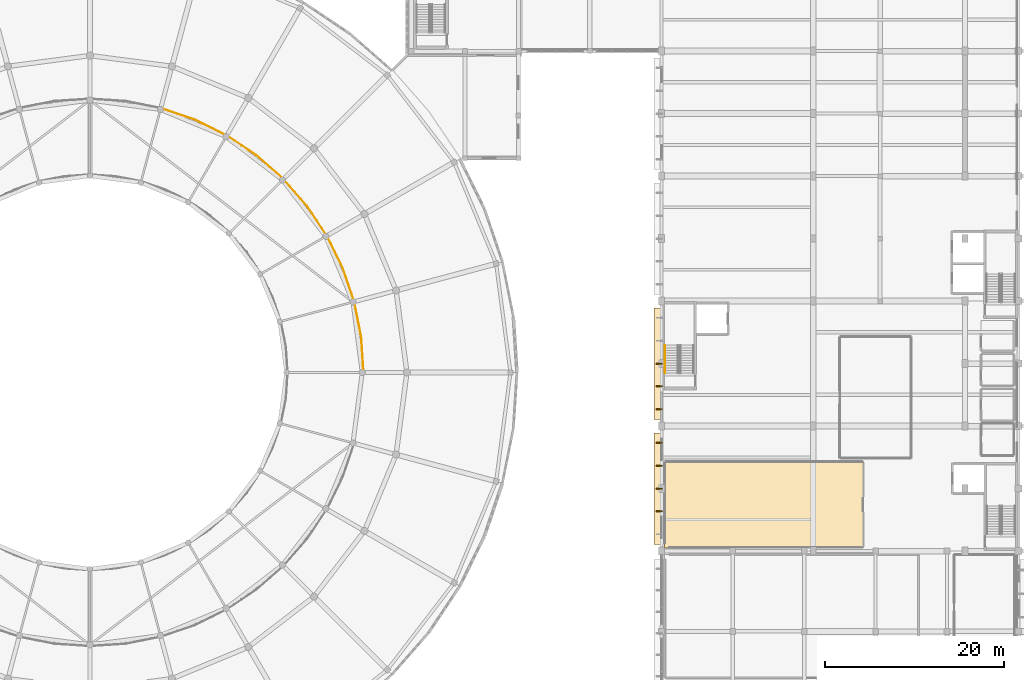
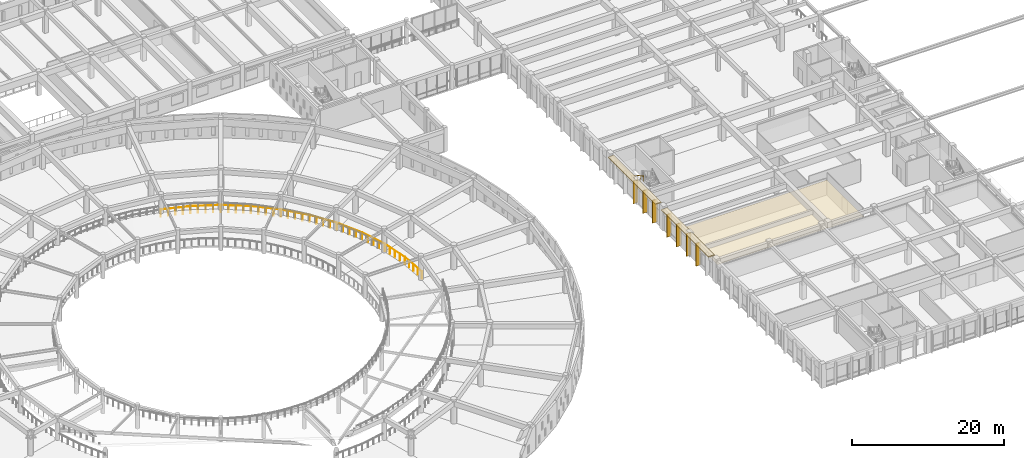
# One storey, part 85 of 98: 10 coverings, 2 railings.
"""IFC4 building model written with IfcOpenShell, lengths in metres."""

from ifc_helpers import new_model, si_unit, direction, frame, origin, origin_2d, place, context, subcontext, project, spatial, polyline, rectangle, circle, outline, extrude, material, layer, layer_set, type_object, element, save


model = new_model("IFC4")

# Units and contexts
model_context = context("Model", 3, precision=1e-05, world=origin(), true_north=direction((0.0, 1.0)))
body_context = subcontext(model_context, "Body", "Model", "MODEL_VIEW")
ifc_project = project(units=[si_unit("LENGTHUNIT", "METRE"), si_unit("AREAUNIT", "SQUARE_METRE"), si_unit("VOLUMEUNIT", "CUBIC_METRE"), si_unit("PLANEANGLEUNIT", "RADIAN"), si_unit("MASSUNIT", "GRAM", prefix="KILO")], contexts=[model_context])

# Site, building, storey
site_placement = place(None, origin())
site = spatial("IfcSite", under=ifc_project, at=site_placement, CompositionType="ELEMENT")
building_placement = place(site_placement, origin())
building = spatial("IfcBuilding", under=site, at=building_placement, Name="Larkveld Mobility Hub", CompositionType="ELEMENT")
storey_placement = place(building_placement, frame((0.0, 0.0, 4.5)))
storey = spatial("IfcBuildingStorey", under=building, at=storey_placement, Name="L01", CompositionType="ELEMENT", Elevation=4.5)

# Coverings
ifc_material_1 = material(Name="Precast concrete C50/60", Category="concrete")
ifc_layer_1 = layer(ifc_material_1, 0.14990234375, Name="Precast concrete C50/60", Category="concrete")
ifc_layer_set_1 = layer_set([ifc_layer_1], Name="Precast concrete C50/60")
covering_type_1 = type_object("IfcCoveringType", Name="COV-QSL-H01", PredefinedType="CLADDING", material=ifc_layer_set_1)
for number, where, z_axis, x_axis, name in (
    (1, (111.659912109375, 35.0, 3.670166015625), (0.0, 0.0, 1.0), (0.0, -1.0, 0.0), "Precast Quebra-Sol Horizontal Sunbreaker QSH-397"),
    (2, (111.659912109375, 49.0, 3.670166015625), (0.0, 0.0, 1.0), (0.0, -1.0, 0.0), "Precast Quebra-Sol Horizontal Sunbreaker QSH-403"),
):
    element("IfcCovering", number, at=place(storey_placement, frame(where, z_axis=z_axis, x_axis=x_axis)), inside=storey, type_object=covering_type_1, Name=name, PredefinedType="CLADDING", context=body_context, shape_type="SweptSolid", body=[
        extrude(rectangle(XDim=12.5, YDim=0.919921875, at=origin_2d()), origin(), (0.0, 0.0, 1.0), 0.14990234375),
    ])
ifc_layer_2 = layer(ifc_material_1, 0.1201171875, Name="Precast concrete C50/60", Category="concrete")
ifc_layer_set_2 = layer_set([ifc_layer_2], Name="Precast concrete C50/60")
covering_type_2 = type_object("IfcCoveringType", Name="COV-QSL-V01", PredefinedType="CLADDING", material=ifc_layer_set_2)
for number, where, z_axis, x_axis, name in (
    (3, (111.760009765625, 40.1201171875, -0.0205078125), (0.0, 0.0, 1.0), (0.0, -1.0, 0.0), "Precast Quebra-Sol Vertical Fin QSV-398"),
    (4, (111.760009765625, 37.56005859375, -0.0205078125), (0.0, 0.0, 1.0), (0.0, -1.0, 0.0), "Precast Quebra-Sol Vertical Fin QSV-399"),
    (5, (111.760009765625, 35.0, -0.0205078125), (0.0, 0.0, 1.0), (0.0, -1.0, 0.0), "Precast Quebra-Sol Vertical Fin QSV-400"),
    (6, (111.760009765625, 32.43994140625, -0.0205078125), (0.0, 0.0, 1.0), (0.0, -1.0, 0.0), "Precast Quebra-Sol Vertical Fin QSV-401"),
    (7, (111.760009765625, 49.0, -0.0205078125), (0.0, 0.0, 1.0), (0.0, -1.0, 0.0), "Precast Quebra-Sol Vertical Fin QSV-406"),
    (8, (111.760009765625, 46.43994140625, -0.0205078125), (0.0, 0.0, 1.0), (0.0, -1.0, 0.0), "Precast Quebra-Sol Vertical Fin QSV-407"),
    (9, (111.760009765625, 43.8798828125, -0.0205078125), (0.0, 0.0, 1.0), (0.0, -1.0, 0.0), "Precast Quebra-Sol Vertical Fin QSV-408"),
):
    element("IfcCovering", number, at=place(storey_placement, frame(where, z_axis=z_axis, x_axis=x_axis)), inside=storey, type_object=covering_type_2, Name=name, PredefinedType="CLADDING", context=body_context, shape_type="SweptSolid", body=[
        extrude(rectangle(XDim=0.1201171875, YDim=0.719970703125, at=origin_2d()), origin(), (0.0, 0.0, 1.0), 3.675048828125),
    ])
ifc_material_2 = material(Name="Perforated mineral-fibre acoustic ceiling", Category="masonry")
ifc_layer_3 = layer(ifc_material_2, 0.02001953125, Name="Perforated mineral-fibre acoustic ceiling", Category="masonry")
ifc_layer_set_3 = layer_set([ifc_layer_3], Name="Perforated mineral-fibre acoustic ceiling")
covering_type_3 = type_object("IfcCoveringType", Name="CV-CLG-020", PredefinedType="CEILING", material=ifc_layer_set_3)
covering_placement = place(storey_placement, frame((0.0, 0.0, 2.330078125)))
element("IfcCovering", 10, at=covering_placement, inside=storey, type_object=covering_type_3, Name="Intermodal Passenger Waiting Concourse Acoustic Ceiling 016", PredefinedType="CEILING", context=body_context, shape_type="SweptSolid", body=[
    extrude(outline(polyline([(112.4169921875, 28.3701171875), (112.4140625, 28.37109375), (112.410888671875, 28.37109375), (112.408935546875, 28.3720703125), (112.406005859375, 28.3740234375), (112.403076171875, 28.375), (112.40087890625, 28.376953125), (112.39892578125, 28.37890625), (112.37890625, 28.39892578125), (112.376953125, 28.40087890625), (112.375, 28.403076171875), (112.3740234375, 28.406005859375), (112.3720703125, 28.408935546875), (112.37109375, 28.410888671875), (112.37109375, 28.4140625), (112.3701171875, 28.4169921875), (112.3701171875, 28.419921875), (112.3701171875, 37.97998046875), (112.3701171875, 37.98291015625), (112.37109375, 37.986083984375), (112.37109375, 37.989013671875), (112.3720703125, 37.990966796875), (112.3740234375, 37.993896484375), (112.375, 37.9970703125), (112.386962890625, 38.014892578125), (112.388916015625, 38.01806640625), (112.39111328125, 38.02001953125), (112.39306640625, 38.02197265625), (112.39599609375, 38.02294921875), (112.39794921875, 38.02490234375), (112.40087890625, 38.02587890625), (112.404052734375, 38.027099609375), (112.406005859375, 38.028076171875), (112.408935546875, 38.028076171875), (112.412109375, 38.028076171875), (134.580078125, 38.030029296875), (134.5830078125, 38.030029296875), (134.5859375, 38.029052734375), (134.589111328125, 38.029052734375), (134.591064453125, 38.028076171875), (134.593994140625, 38.02587890625), (134.596923828125, 38.02490234375), (134.614990234375, 38.012939453125), (134.617919921875, 38.010986328125), (134.6201171875, 38.009033203125), (134.6220703125, 38.007080078125), (134.623046875, 38.00390625), (134.625, 38.001953125), (134.6259765625, 37.9990234375), (134.626953125, 37.99609375), (134.6279296875, 37.993896484375), (134.6279296875, 37.990966796875), (134.6279296875, 37.988037109375), (134.6298828125, 28.419921875), (134.6298828125, 28.4169921875), (134.62890625, 28.4140625), (134.62890625, 28.410888671875), (134.6279296875, 28.408935546875), (134.6259765625, 28.406005859375), (134.625, 28.403076171875), (134.613037109375, 28.385009765625), (134.611083984375, 28.382080078125), (134.60888671875, 28.3798828125), (134.60693359375, 28.3779296875), (134.60400390625, 28.376953125), (134.60205078125, 28.375), (134.59912109375, 28.3740234375), (134.595947265625, 28.373046875), (134.593994140625, 28.3720703125), (134.591064453125, 28.3720703125), (134.587890625, 28.3720703125), (129.330078125, 28.37109375), (129.330078125, 28.455078125), (128.669921875, 28.455078125), (128.669921875, 28.37109375), (112.419921875, 28.3701171875), (112.4169921875, 28.3701171875)])), origin(), (0.0, 0.0, 1.0), 0.02001953125),
])

# Railings
ifc_material_3 = material(Name="Anodized aluminium 6063-T6 balustrade", Category="aluminium")
railing_type_1 = type_object("IfcRailingType", Name="RL-GRD-1150", PredefinedType="GUARDRAIL", material=ifc_material_3)
railing_1_placement = place(storey_placement, frame((78.64990234375, 48.0, 0.0)))
element("IfcRailing", 11, at=railing_1_placement, inside=storey, type_object=railing_type_1, Name="Drum Ramp Well Guardrail L01-037", PredefinedType="GUARDRAIL", context=body_context, shape_type="SweptSolid", body=[
    extrude(circle(Radius=0.02392578125, at=origin_2d()), frame((0.0, 0.0, 1.1259765625), z_axis=(-0.065334844062, 0.997863396539, 0.0), x_axis=(-0.997863396539, -0.065334844062, 0.0)), (0.0, 0.0, 1.0), 4.009521484375),
    extrude(circle(Radius=0.02392578125, at=origin_2d()), frame((-0.261962890625, 4.0009765625, 1.1259765625), z_axis=(-0.195050336869, 0.980793233096, 0.0), x_axis=(-0.980793233096, -0.195050336869, 0.0)), (0.0, 0.0, 1.0), 4.009033203125),
    extrude(circle(Radius=0.02392578125, at=origin_2d()), frame((-1.0439453125, 7.93310546875, 1.1259765625), z_axis=(-0.321557700371, 0.946889985865, 0.0), x_axis=(-0.946889985865, -0.321557700371, 0.0)), (0.0, 0.0, 1.0), 4.0087890625),
    extrude(circle(Radius=0.02392578125, at=origin_2d()), frame((-2.3330078125, 11.72900390625, 1.1259765625), z_axis=(-0.442213306217, 0.89690991287, 0.0), x_axis=(-0.89690991287, -0.442213306217, 0.0)), (0.0, 0.0, 1.0), 4.00927734375),
    extrude(circle(Radius=0.02392578125, at=origin_2d()), frame((-4.10595703125, 15.324951171875, 1.1259765625), z_axis=(-0.555627161516, 0.831431571078, 0.0), x_axis=(-0.831431571078, -0.555627161516, 0.0)), (0.0, 0.0, 1.0), 4.010009765625),
    extrude(circle(Radius=0.02392578125, at=origin_2d()), frame((-6.333984375, 18.658935546875, 1.1259765625), z_axis=(-0.65927174728, 0.75190475676, 0.0), x_axis=(-0.75190475676, -0.65927174728, 0.0)), (0.0, 0.0, 1.0), 4.0087890625),
    extrude(circle(Radius=0.02392578125, at=origin_2d()), frame((-8.976806640625, 21.673095703125, 1.1259765625), z_axis=(-0.75190475676, 0.65927174728, 0.0), x_axis=(-0.65927174728, -0.75190475676, 0.0)), (0.0, 0.0, 1.0), 4.0087890625),
    extrude(circle(Radius=0.02392578125, at=origin_2d()), frame((-11.990966796875, 24.31591796875, 1.1259765625), z_axis=(-0.831431571078, 0.555627161516, 0.0), x_axis=(-0.555627161516, -0.831431571078, 0.0)), (0.0, 0.0, 1.0), 4.010009765625),
    extrude(circle(Radius=0.02392578125, at=origin_2d()), frame((-15.324951171875, 26.5439453125, 1.1259765625), z_axis=(-0.89690991287, 0.442213306217, 0.0), x_axis=(-0.442213306217, -0.89690991287, 0.0)), (0.0, 0.0, 1.0), 4.00927734375),
    extrude(circle(Radius=0.02392578125, at=origin_2d()), frame((-18.9208984375, 28.31689453125, 1.1259765625), z_axis=(-0.946889985865, 0.321557700371, 0.0), x_axis=(-0.321557700371, -0.946889985865, 0.0)), (0.0, 0.0, 1.0), 4.0087890625),
    extrude(circle(Radius=0.02099609375, at=origin_2d()), origin(), (0.0, 0.0, 1.0), 1.101806640625),
    extrude(circle(Radius=0.02099609375, at=origin_2d()), frame((-0.0654296875, 1.000244140625, 0.0)), (0.0, 0.0, 1.0), 1.101806640625),
    extrude(circle(Radius=0.02099609375, at=origin_2d()), frame((-0.130859375, 2.00048828125, 0.0)), (0.0, 0.0, 1.0), 1.101806640625),
    extrude(circle(Radius=0.02099609375, at=origin_2d()), frame((-0.196533203125, 3.000732421875, 0.0)), (0.0, 0.0, 1.0), 1.101806640625),
    extrude(circle(Radius=0.02099609375, at=origin_2d()), frame((-0.261962890625, 4.0009765625, 0.0)), (0.0, 0.0, 1.0), 1.101806640625),
    extrude(circle(Radius=0.02099609375, at=origin_2d()), frame((-0.45751953125, 4.98388671875, 0.0)), (0.0, 0.0, 1.0), 1.101806640625),
    extrude(circle(Radius=0.02099609375, at=origin_2d()), frame((-0.65283203125, 5.967041015625, 0.0)), (0.0, 0.0, 1.0), 1.101806640625),
    extrude(circle(Radius=0.02099609375, at=origin_2d()), frame((-0.848388671875, 6.9501953125, 0.0)), (0.0, 0.0, 1.0), 1.101806640625),
    extrude(circle(Radius=0.02099609375, at=origin_2d()), frame((-1.0439453125, 7.93310546875, 0.0)), (0.0, 0.0, 1.0), 1.101806640625),
    extrude(circle(Radius=0.02099609375, at=origin_2d()), frame((-1.3662109375, 8.882080078125, 0.0)), (0.0, 0.0, 1.0), 1.101806640625),
    extrude(circle(Radius=0.02099609375, at=origin_2d()), frame((-1.6884765625, 9.8310546875, 0.0)), (0.0, 0.0, 1.0), 1.101806640625),
    extrude(circle(Radius=0.02099609375, at=origin_2d()), frame((-2.0107421875, 10.780029296875, 0.0)), (0.0, 0.0, 1.0), 1.101806640625),
    extrude(circle(Radius=0.02099609375, at=origin_2d()), frame((-2.3330078125, 11.72900390625, 0.0)), (0.0, 0.0, 1.0), 1.101806640625),
    extrude(circle(Radius=0.02099609375, at=origin_2d()), frame((-2.7763671875, 12.6279296875, 0.0)), (0.0, 0.0, 1.0), 1.101806640625),
    extrude(circle(Radius=0.02099609375, at=origin_2d()), frame((-3.219482421875, 13.52685546875, 0.0)), (0.0, 0.0, 1.0), 1.101806640625),
    extrude(circle(Radius=0.02099609375, at=origin_2d()), frame((-3.66259765625, 14.426025390625, 0.0)), (0.0, 0.0, 1.0), 1.101806640625),
    extrude(circle(Radius=0.02099609375, at=origin_2d()), frame((-4.10595703125, 15.324951171875, 0.0)), (0.0, 0.0, 1.0), 1.101806640625),
    extrude(circle(Radius=0.02099609375, at=origin_2d()), frame((-4.6630859375, 16.158447265625, 0.0)), (0.0, 0.0, 1.0), 1.101806640625),
    extrude(circle(Radius=0.02099609375, at=origin_2d()), frame((-5.219970703125, 16.991943359375, 0.0)), (0.0, 0.0, 1.0), 1.101806640625),
    extrude(circle(Radius=0.02099609375, at=origin_2d()), frame((-5.77685546875, 17.825439453125, 0.0)), (0.0, 0.0, 1.0), 1.101806640625),
    extrude(circle(Radius=0.02099609375, at=origin_2d()), frame((-6.333984375, 18.658935546875, 0.0)), (0.0, 0.0, 1.0), 1.101806640625),
    extrude(circle(Radius=0.02099609375, at=origin_2d()), frame((-6.99462890625, 19.41259765625, 0.0)), (0.0, 0.0, 1.0), 1.101806640625),
    extrude(circle(Radius=0.02099609375, at=origin_2d()), frame((-7.6552734375, 20.166015625, 0.0)), (0.0, 0.0, 1.0), 1.101806640625),
    extrude(circle(Radius=0.02099609375, at=origin_2d()), frame((-8.316162109375, 20.91943359375, 0.0)), (0.0, 0.0, 1.0), 1.101806640625),
    extrude(circle(Radius=0.02099609375, at=origin_2d()), frame((-8.976806640625, 21.673095703125, 0.0)), (0.0, 0.0, 1.0), 1.101806640625),
    extrude(circle(Radius=0.02099609375, at=origin_2d()), frame((-9.73046875, 22.333740234375, 0.0)), (0.0, 0.0, 1.0), 1.101806640625),
    extrude(circle(Radius=0.02099609375, at=origin_2d()), frame((-10.48388671875, 22.99462890625, 0.0)), (0.0, 0.0, 1.0), 1.101806640625),
    extrude(circle(Radius=0.02099609375, at=origin_2d()), frame((-11.2373046875, 23.6552734375, 0.0)), (0.0, 0.0, 1.0), 1.101806640625),
    extrude(circle(Radius=0.02099609375, at=origin_2d()), frame((-11.990966796875, 24.31591796875, 0.0)), (0.0, 0.0, 1.0), 1.101806640625),
    extrude(circle(Radius=0.02099609375, at=origin_2d()), frame((-12.824462890625, 24.873046875, 0.0)), (0.0, 0.0, 1.0), 1.101806640625),
    extrude(circle(Radius=0.02099609375, at=origin_2d()), frame((-13.657958984375, 25.429931640625, 0.0)), (0.0, 0.0, 1.0), 1.101806640625),
    extrude(circle(Radius=0.02099609375, at=origin_2d()), frame((-14.491455078125, 25.98681640625, 0.0)), (0.0, 0.0, 1.0), 1.101806640625),
    extrude(circle(Radius=0.02099609375, at=origin_2d()), frame((-15.324951171875, 26.5439453125, 0.0)), (0.0, 0.0, 1.0), 1.101806640625),
    extrude(circle(Radius=0.02099609375, at=origin_2d()), frame((-16.223876953125, 26.9873046875, 0.0)), (0.0, 0.0, 1.0), 1.101806640625),
    extrude(circle(Radius=0.02099609375, at=origin_2d()), frame((-17.123046875, 27.430419921875, 0.0)), (0.0, 0.0, 1.0), 1.101806640625),
    extrude(circle(Radius=0.02099609375, at=origin_2d()), frame((-18.02197265625, 27.87353515625, 0.0)), (0.0, 0.0, 1.0), 1.101806640625),
    extrude(circle(Radius=0.02099609375, at=origin_2d()), frame((-18.9208984375, 28.31689453125, 0.0)), (0.0, 0.0, 1.0), 1.101806640625),
    extrude(circle(Radius=0.02099609375, at=origin_2d()), frame((-19.869873046875, 28.63916015625, 0.0)), (0.0, 0.0, 1.0), 1.101806640625),
    extrude(circle(Radius=0.02099609375, at=origin_2d()), frame((-20.81884765625, 28.96142578125, 0.0)), (0.0, 0.0, 1.0), 1.101806640625),
    extrude(circle(Radius=0.02099609375, at=origin_2d()), frame((-21.767822265625, 29.28369140625, 0.0)), (0.0, 0.0, 1.0), 1.101806640625),
    extrude(circle(Radius=0.02099609375, at=origin_2d()), frame((-22.716796875, 29.60595703125, 0.0)), (0.0, 0.0, 1.0), 1.101806640625),
])
ifc_material_4 = material(Name="Brushed Steel S355JR tubular handrail", Category="steel")
railing_type_2 = type_object("IfcRailingType", Name="RL-HND-0900", PredefinedType="HANDRAIL", material=ifc_material_4)
railing_2_placement = place(storey_placement, frame((112.39990234375, 51.054931640625, 2.112548828125)))
element("IfcRailing", 12, at=railing_2_placement, inside=storey, type_object=railing_type_2, Name="L01 ST3 stair handrail 2", PredefinedType="HANDRAIL", context=body_context, shape_type="SweptSolid", body=[
    extrude(circle(Radius=0.02392578125, at=origin_2d()), frame((0.0, 0.0, 0.8759765625), z_axis=(0.0, -0.868729823959, 0.495286273749), x_axis=(1.0, 0.0, 0.0)), (0.0, 0.0, 1.0), 3.608642578125),
    extrude(circle(Radius=0.02099609375, at=origin_2d()), origin(), (0.0, 0.0, 1.0), 0.851806640625),
    extrude(circle(Radius=0.02099609375, at=origin_2d()), frame((0.0, -0.78369140625, 0.44677734375)), (0.0, 0.0, 1.0), 0.851806640625),
    extrude(circle(Radius=0.02099609375, at=origin_2d()), frame((0.0, -1.5673828125, 0.8935546875)), (0.0, 0.0, 1.0), 0.851806640625),
    extrude(circle(Radius=0.02099609375, at=origin_2d()), frame((0.0, -2.351318359375, 1.340576171875)), (0.0, 0.0, 1.0), 0.851806640625),
    extrude(circle(Radius=0.02099609375, at=origin_2d()), frame((0.0, -3.135009765625, 1.787353515625)), (0.0, 0.0, 1.0), 0.851806640625),
])

save(model, "model.ifc")
